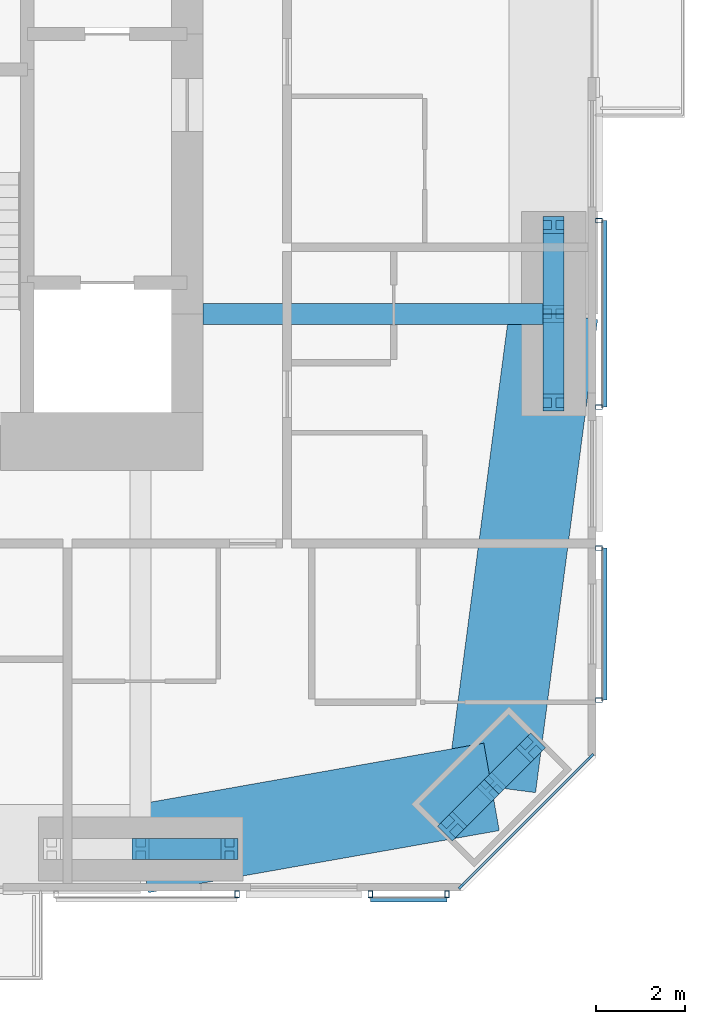
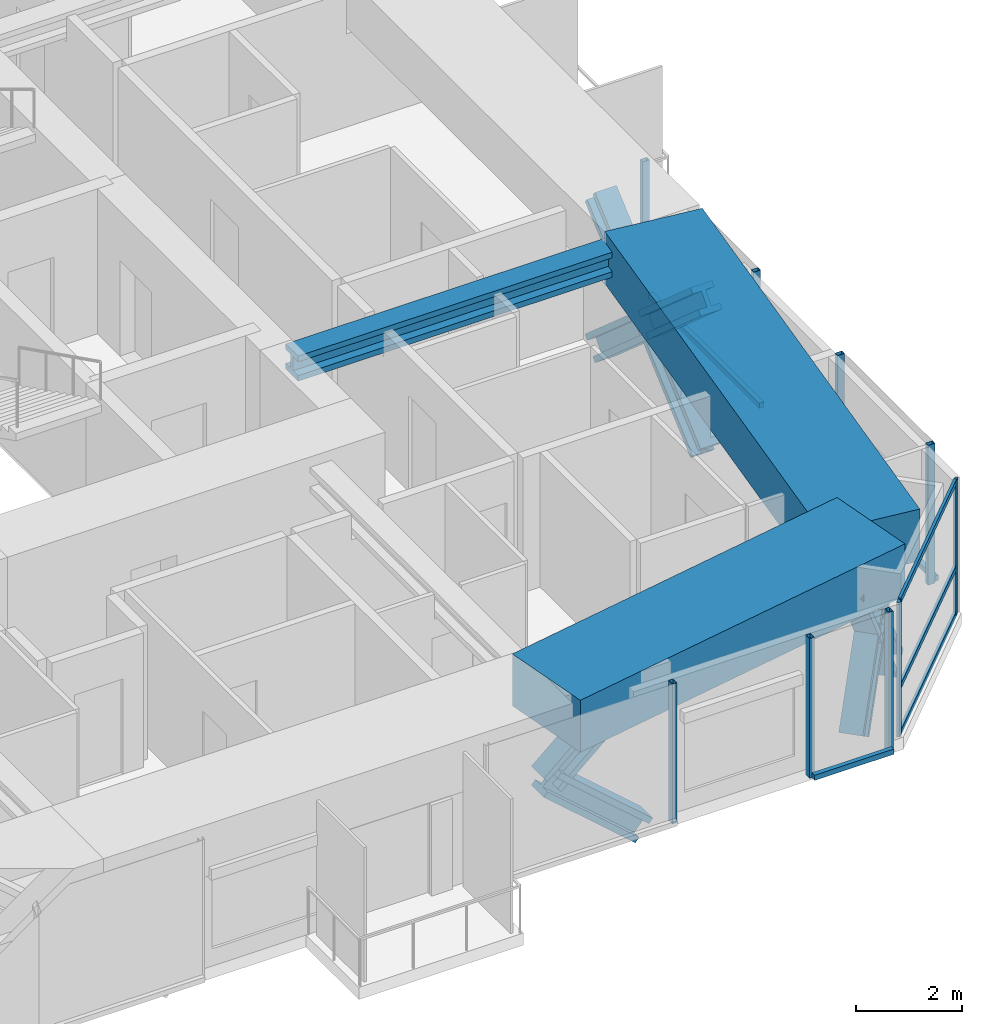
# One storey, part 7 of 22: 25 members, 3 beams, 5 elements without a shape of their own.
"""IFC4 building model written with IfcOpenShell, lengths in metres."""

from ifc_helpers import new_model, si_unit, direction, frame, origin, origin_2d, place, context, subcontext, project, spatial, rectangle, hollow_rectangle, i_section, extrude, material, material_profile, profile_set, type_object, element, aggregate, save


model = new_model("IFC4")

# Units and contexts
model_context = context("Model", 3, precision=1e-05, world=origin(), true_north=direction((0.0, 1.0)))
body_context = subcontext(model_context, "Body", "Model", "MODEL_VIEW")
ifc_project = project(units=[si_unit("LENGTHUNIT", "METRE"), si_unit("AREAUNIT", "SQUARE_METRE"), si_unit("VOLUMEUNIT", "CUBIC_METRE"), si_unit("PLANEANGLEUNIT", "RADIAN"), si_unit("MASSUNIT", "GRAM", prefix="KILO")], contexts=[model_context])

# Site, building, storey
site_placement = place(None, origin())
site = spatial("IfcSite", under=ifc_project, at=site_placement, CompositionType="ELEMENT")
building_placement = place(site_placement, origin())
building = spatial("IfcBuilding", under=site, at=building_placement, Name="Jalousie Tower", CompositionType="ELEMENT")
storey_placement = place(building_placement, frame((0.0, 0.0, 154.35009765625)))
storey = spatial("IfcBuildingStorey", under=building, at=storey_placement, Name="L41", CompositionType="ELEMENT", Elevation=154.35009765625)

# Curtain wall, members
ifc_material_1 = material(Name="Aluminium curtain wall", Category="aluminium")
curtain_wall_type_1 = type_object("IfcCurtainWallType", Name="CORNER WINDOW WALL", PredefinedType="USERDEFINED", material=ifc_material_1)
curtain_wall_1_placement = place(storey_placement, origin())
curtain_wall_1 = element("IfcCurtainWall", 1, at=curtain_wall_1_placement, inside=storey, type_object=curtain_wall_type_1, Name="Corner Window Wall L41 2", ObjectType="CORNER WINDOW WALL", PredefinedType="USERDEFINED")
ifc_material_2 = material(Name="Aluminium mullion", Category="aluminium")
ifc_material_profile_1 = material_profile(ifc_material_2, rectangle(XDim=0.06005859375, YDim=0.14990234375, at=origin_2d()), Name="MULLION 60x150")
ifc_profile_set_1 = profile_set([ifc_material_profile_1], Name="Aluminium mullion")
member_type_1 = type_object("IfcMemberType", Name="CORNER WINDOW WALL MULLION", PredefinedType="MULLION", material=ifc_profile_set_1)
member_1_placement = place(storey_placement, frame((49.969970703125, 0.108642578125, 0.0), z_axis=(0.0, 0.0, 1.0), x_axis=(-0.707106781187, 0.707106781187, 0.0)))
member_1 = element("IfcMember", 2, at=member_1_placement, type_object=member_type_1, Name="CW-C mullion 1", PredefinedType="MULLION", context=body_context, shape_type="SweptSolid", body=[
    extrude(rectangle(XDim=0.06005859375, YDim=0.14990234375, at=origin_2d()), origin(), (0.0, 0.0, 1.0), 3.10986328125),
])
member_2_placement = place(storey_placement, frame((52.891357421875, 3.030029296875, 0.0), z_axis=(0.0, 0.0, 1.0), x_axis=(-0.707106781187, 0.707106781187, 0.0)))
member_2 = element("IfcMember", 3, at=member_2_placement, type_object=member_type_1, Name="CW-C mullion 2", PredefinedType="MULLION", context=body_context, shape_type="SweptSolid", body=[
    extrude(rectangle(XDim=0.06005859375, YDim=0.14990234375, at=origin_2d()), origin(), (0.0, 0.0, 1.0), 3.10986328125),
])
ifc_material_3 = material(Name="Aluminium transom", Category="aluminium")
ifc_material_profile_2 = material_profile(ifc_material_3, rectangle(XDim=0.06005859375, YDim=0.1201171875, at=origin_2d()), Name="TRANSOM 60x120")
ifc_profile_set_2 = profile_set([ifc_material_profile_2], Name="Aluminium transom")
member_type_2 = type_object("IfcMemberType", Name="CORNER WINDOW WALL TRANSOM", PredefinedType="USERDEFINED", material=ifc_profile_set_2)
member_3_placement = place(storey_placement, frame((49.9912109375, 0.1298828125, 0.02978515625), z_axis=(0.707106781187, 0.707106781187, 0.0), x_axis=(-0.707106781187, 0.707106781187, 0.0)))
member_3 = element("IfcMember", 4, at=member_3_placement, type_object=member_type_2, Name="CW-C transom 1.1", ObjectType="TRANSOM", PredefinedType="USERDEFINED", context=body_context, shape_type="SweptSolid", body=[
    extrude(rectangle(XDim=0.06005859375, YDim=0.1201171875, at=origin_2d()), origin(), (0.0, 0.0, 1.0), 4.0712890625),
])
member_4_placement = place(storey_placement, frame((49.9912109375, 0.1298828125, 1.099853515625), z_axis=(0.707106781187, 0.707106781187, 0.0), x_axis=(-0.707106781187, 0.707106781187, 0.0)))
member_4 = element("IfcMember", 5, at=member_4_placement, type_object=member_type_2, Name="CW-C transom 1.2", ObjectType="TRANSOM", PredefinedType="USERDEFINED", context=body_context, shape_type="SweptSolid", body=[
    extrude(rectangle(XDim=0.06005859375, YDim=0.1201171875, at=origin_2d()), origin(), (0.0, 0.0, 1.0), 4.0712890625),
])
member_5_placement = place(storey_placement, frame((49.9912109375, 0.1298828125, 3.079833984375), z_axis=(0.707106781187, 0.707106781187, 0.0), x_axis=(-0.707106781187, 0.707106781187, 0.0)))
member_5 = element("IfcMember", 6, at=member_5_placement, type_object=member_type_2, Name="CW-C transom 1.3", ObjectType="TRANSOM", PredefinedType="USERDEFINED", context=body_context, shape_type="SweptSolid", body=[
    extrude(rectangle(XDim=0.06005859375, YDim=0.1201171875, at=origin_2d()), origin(), (0.0, 0.0, 1.0), 4.0712890625),
])
aggregate(curtain_wall_1, [member_1, member_2, member_3, member_4, member_5])

# Beam
ifc_material_4 = material(Name="Steel ASTM A992 Grade 50", Category="steel")
ifc_material_profile_3 = material_profile(ifc_material_4, i_section(OverallWidth=0.472412109375, OverallDepth=0.5791015625, WebThickness=0.094970703125, FlangeThickness=0.1298828125, at=origin_2d()), Name="W14X808")
ifc_profile_set_3 = profile_set([ifc_material_profile_3], Name="Steel ASTM A992 Grade 50")
beam_type_1 = type_object("IfcBeamType", Name="LEAN COLLECTOR W14X808", PredefinedType="BEAM", material=ifc_profile_set_3)
beam_1_placement = place(storey_placement, frame((52.050048828125, 13.0, 2.8203125), z_axis=(-1.0, 0.0, 0.0), x_axis=(0.0, -1.0, 0.0)))
element("IfcBeam", 7, at=beam_1_placement, inside=storey, type_object=beam_type_1, Name="Lean collector under L42", PredefinedType="BEAM", context=body_context, shape_type="SweptSolid", body=[
    extrude(i_section(OverallWidth=0.472412109375, OverallDepth=0.5791015625, WebThickness=0.094970703125, FlangeThickness=0.1298828125, at=origin_2d()), origin(), (0.0, 0.0, 1.0), 7.900146484375),
])

# Members
ifc_material_5 = material(Name="Steel ASTM A992 Grade 50", Category="steel")
ifc_material_profile_4 = material_profile(ifc_material_5, i_section(OverallWidth=0.472412109375, OverallDepth=0.5791015625, WebThickness=0.094970703125, FlangeThickness=0.1298828125, at=origin_2d()), Name="W14X808")
ifc_profile_set_4 = profile_set([ifc_material_profile_4], Name="Steel ASTM A992 Grade 50")
member_type_3 = type_object("IfcMemberType", Name="PERIMETER BRACE W14X808", PredefinedType="BRACE", material=ifc_profile_set_4)
for number, where, z_axis, x_axis, name in (
    (8, (42.75, 0.949951171875, 1.0), (0.752576694707, 0.0, 0.658504607869), (0.0, 1.0, 0.0), "Perimeter brace 04 L41 part 2"),
    (9, (44.75, 0.949951171875, -0.75), (-0.752576694707, 0.0, 0.658504607869), (0.0, -1.0, 0.0), "Perimeter brace 04 L41 part 3"),
):
    element("IfcMember", number, at=place(storey_placement, frame(where, z_axis=z_axis, x_axis=x_axis)), inside=storey, type_object=member_type_3, Name=name, PredefinedType="BRACE", context=body_context, shape_type="SweptSolid", body=[
        extrude(i_section(OverallWidth=0.472412109375, OverallDepth=0.5791015625, WebThickness=0.094970703125, FlangeThickness=0.1298828125, at=origin_2d()), origin(), (0.0, 0.0, 1.0), 2.657470703125),
    ])
for number, where, z_axis, x_axis, name in (
    (10, (49.767578125, 1.464599609375, -0.75), (0.411062743107, 0.410949221222, 0.813724866774), (-0.70700912125, 0.707204427637, 0.0), "Perimeter brace 05 L41 part 1"),
    (11, (50.651611328125, 2.348388671875, 1.0), (0.410949221222, 0.411062743107, 0.813724866774), (-0.707204427637, 0.70700912125, 0.0), "Perimeter brace 05 L41 part 2"),
    (12, (51.535400390625, 3.232421875, -0.75), (-0.410949221222, -0.411062743107, 0.813724866774), (0.707204427637, -0.70700912125, 0.0), "Perimeter brace 05 L41 part 3"),
    (13, (50.651611328125, 2.348388671875, 1.0), (-0.411062743107, -0.410949221222, 0.813724866774), (0.70700912125, -0.707204427637, 0.0), "Perimeter brace 05 L41 part 4"),
):
    element("IfcMember", number, at=place(storey_placement, frame(where, z_axis=z_axis, x_axis=x_axis)), inside=storey, type_object=member_type_3, Name=name, PredefinedType="BRACE", context=body_context, shape_type="SweptSolid", body=[
        extrude(i_section(OverallWidth=0.472412109375, OverallDepth=0.5791015625, WebThickness=0.094970703125, FlangeThickness=0.1298828125, at=origin_2d()), origin(), (0.0, 0.0, 1.0), 2.150634765625),
    ])
for number, where, z_axis, x_axis, name in (
    (14, (52.050048828125, 11.0, -0.75), (0.0, 0.752576694707, 0.658504607869), (-1.0, 0.0, 0.0), "Perimeter brace 06 L41 part 1"),
    (15, (52.050048828125, 13.0, 1.0), (0.0, 0.752576694707, 0.658504607869), (-1.0, 0.0, 0.0), "Perimeter brace 06 L41 part 2"),
    (16, (52.050048828125, 15.0, -0.75), (0.0, -0.752576694707, 0.658504607869), (1.0, 0.0, 0.0), "Perimeter brace 06 L41 part 3"),
    (17, (52.050048828125, 13.0, 1.0), (0.0, -0.752576694707, 0.658504607869), (1.0, 0.0, 0.0), "Perimeter brace 06 L41 part 4"),
):
    element("IfcMember", number, at=place(storey_placement, frame(where, z_axis=z_axis, x_axis=x_axis)), inside=storey, type_object=member_type_3, Name=name, PredefinedType="BRACE", context=body_context, shape_type="SweptSolid", body=[
        extrude(i_section(OverallWidth=0.472412109375, OverallDepth=0.5791015625, WebThickness=0.094970703125, FlangeThickness=0.1298828125, at=origin_2d()), origin(), (0.0, 0.0, 1.0), 2.657470703125),
    ])

# Beams
ifc_material_6 = material(Name="Concrete f'c 40 MPa", Category="concrete")
ifc_material_profile_5 = material_profile(ifc_material_6, rectangle(XDim=2.0, YDim=1.199951171875, at=origin_2d()), Name="RC 2000x1200")
ifc_profile_set_5 = profile_set([ifc_material_profile_5], Name="Concrete f'c 40 MPa")
beam_type_2 = type_object("IfcBeamType", Name="RC BEAM 2000x1200", PredefinedType="BEAM", material=ifc_profile_set_5)
beam_2_placement = place(storey_placement, frame((42.75, 0.949951171875, 2.75), z_axis=(0.984697370688, 0.174273027632, 0.0), x_axis=(-0.174273027632, 0.984697370688, 0.0)))
element("IfcBeam", 18, at=beam_2_placement, inside=storey, type_object=beam_type_2, Name="Edge band beam 04-05 under L42", PredefinedType="BEAM", context=body_context, shape_type="SweptSolid", body=[
    extrude(rectangle(XDim=2.0, YDim=1.199951171875, at=origin_2d()), origin(), (0.0, 0.0, 1.0), 8.0244140625),
])
beam_3_placement = place(storey_placement, frame((50.651611328125, 2.348388671875, 2.75), z_axis=(0.130171745558, 0.991491460709, 0.0), x_axis=(-0.991491460709, 0.130171745558, 0.0)))
element("IfcBeam", 19, at=beam_3_placement, inside=storey, type_object=beam_type_2, Name="Edge band beam 05-06 under L42", PredefinedType="BEAM", context=body_context, shape_type="SweptSolid", body=[
    extrude(rectangle(XDim=2.0, YDim=1.199951171875, at=origin_2d()), origin(), (0.0, 0.0, 1.0), 10.742919921875),
])

# Curtain wall, member
ifc_material_7 = material(Name="Perforated aluminium sheet", Category="aluminium")
curtain_wall_type_2 = type_object("IfcCurtainWallType", Name="SOLAR SCREEN SS-1", PredefinedType="USERDEFINED", material=ifc_material_7)
curtain_wall_2_placement = place(storey_placement, origin())
curtain_wall_2 = element("IfcCurtainWall", 20, at=curtain_wall_2_placement, inside=storey, type_object=curtain_wall_type_2, Name="Solar screen L41", ObjectType="SOLAR SCREEN SS-1", PredefinedType="USERDEFINED")
ifc_material_8 = material(Name="Steel ASTM A500 Grade C", Category="steel")
ifc_material_profile_6 = material_profile(ifc_material_8, hollow_rectangle(XDim=0.1015625, YDim=0.15234375, WallThickness=0.00634765625, at=origin_2d()), Name="HSS6X4X1/4")
ifc_profile_set_6 = profile_set([ifc_material_profile_6], Name="Steel ASTM A500 Grade C")
member_type_4 = type_object("IfcMemberType", Name="SOLAR SCREEN SS-1 MULLION", PredefinedType="MULLION", material=ifc_profile_set_6)
member_6_placement = place(storey_placement, frame((44.921630859375, -0.0712890625, -0.1201171875), z_axis=(0.0, 0.0, 1.0), x_axis=(1.0, 0.0, 0.0)))
member_6 = element("IfcMember", 21, at=member_6_placement, type_object=member_type_4, Name="SS1 post 2", PredefinedType="MULLION", context=body_context, shape_type="SweptSolid", body=[
    extrude(hollow_rectangle(XDim=0.1015625, YDim=0.15234375, WallThickness=0.00634765625, at=origin_2d()), origin(), (0.0, 0.0, 1.0), 3.22998046875),
])
aggregate(curtain_wall_2, [member_6])

# Curtain wall, members
curtain_wall_3_placement = place(storey_placement, origin())
curtain_wall_3 = element("IfcCurtainWall", 22, at=curtain_wall_3_placement, inside=storey, type_object=curtain_wall_type_2, Name="Solar screen L41", ObjectType="SOLAR SCREEN SS-1", PredefinedType="USERDEFINED")
member_7_placement = place(storey_placement, frame((47.921630859375, -0.0712890625, -0.1201171875), z_axis=(0.0, 0.0, 1.0), x_axis=(1.0, 0.0, 0.0)))
member_7 = element("IfcMember", 23, at=member_7_placement, type_object=member_type_4, Name="SS1 post 1", PredefinedType="MULLION", context=body_context, shape_type="SweptSolid", body=[
    extrude(hollow_rectangle(XDim=0.1015625, YDim=0.15234375, WallThickness=0.00634765625, at=origin_2d()), origin(), (0.0, 0.0, 1.0), 3.22998046875),
])
member_8_placement = place(storey_placement, frame((49.648681640625, -0.0712890625, -0.1201171875), z_axis=(0.0, 0.0, 1.0), x_axis=(1.0, 0.0, 0.0)))
member_8 = element("IfcMember", 24, at=member_8_placement, type_object=member_type_4, Name="SS1 post 2", PredefinedType="MULLION", context=body_context, shape_type="SweptSolid", body=[
    extrude(hollow_rectangle(XDim=0.1015625, YDim=0.15234375, WallThickness=0.00634765625, at=origin_2d()), origin(), (0.0, 0.0, 1.0), 3.22998046875),
])

curtain_wall_4_placement = place(storey_placement, origin())
curtain_wall_4 = element("IfcCurtainWall", 25, at=curtain_wall_4_placement, inside=storey, type_object=curtain_wall_type_2, Name="Solar screen L41", ObjectType="SOLAR SCREEN SS-1", PredefinedType="USERDEFINED")
member_9_placement = place(storey_placement, frame((53.0712890625, 4.301513671875, -0.1201171875), z_axis=(0.0, 0.0, 1.0), x_axis=(0.0, 1.0, 0.0)))
member_9 = element("IfcMember", 26, at=member_9_placement, type_object=member_type_4, Name="SS1 post 1", PredefinedType="MULLION", context=body_context, shape_type="SweptSolid", body=[
    extrude(hollow_rectangle(XDim=0.1015625, YDim=0.15234375, WallThickness=0.00634765625, at=origin_2d()), origin(), (0.0, 0.0, 1.0), 3.22998046875),
])
member_10_placement = place(storey_placement, frame((53.0712890625, 7.72509765625, -0.1201171875), z_axis=(0.0, 0.0, 1.0), x_axis=(0.0, 1.0, 0.0)))
member_10 = element("IfcMember", 27, at=member_10_placement, type_object=member_type_4, Name="SS1 post 2", PredefinedType="MULLION", context=body_context, shape_type="SweptSolid", body=[
    extrude(hollow_rectangle(XDim=0.1015625, YDim=0.15234375, WallThickness=0.00634765625, at=origin_2d()), origin(), (0.0, 0.0, 1.0), 3.22998046875),
])

curtain_wall_5_placement = place(storey_placement, origin())
curtain_wall_5 = element("IfcCurtainWall", 28, at=curtain_wall_5_placement, inside=storey, type_object=curtain_wall_type_2, Name="Solar screen L41", ObjectType="SOLAR SCREEN SS-1", PredefinedType="USERDEFINED")
member_11_placement = place(storey_placement, frame((53.0712890625, 10.89990234375, -0.1201171875), z_axis=(0.0, 0.0, 1.0), x_axis=(0.0, 1.0, 0.0)))
member_11 = element("IfcMember", 29, at=member_11_placement, type_object=member_type_4, Name="SS1 post 1", PredefinedType="MULLION", context=body_context, shape_type="SweptSolid", body=[
    extrude(hollow_rectangle(XDim=0.1015625, YDim=0.15234375, WallThickness=0.00634765625, at=origin_2d()), origin(), (0.0, 0.0, 1.0), 3.22998046875),
])
member_12_placement = place(storey_placement, frame((53.0712890625, 15.10009765625, -0.1201171875), z_axis=(0.0, 0.0, 1.0), x_axis=(0.0, 1.0, 0.0)))
member_12 = element("IfcMember", 30, at=member_12_placement, type_object=member_type_4, Name="SS1 post 2", PredefinedType="MULLION", context=body_context, shape_type="SweptSolid", body=[
    extrude(hollow_rectangle(XDim=0.1015625, YDim=0.15234375, WallThickness=0.00634765625, at=origin_2d()), origin(), (0.0, 0.0, 1.0), 3.22998046875),
])

# Member
ifc_material_9 = material(Name="Extruded aluminium screen rail", Category="aluminium")
ifc_material_profile_7 = material_profile(ifc_material_9, rectangle(XDim=0.1015625, YDim=0.1201171875, at=origin_2d()), Name="RAIL 102x120")
ifc_profile_set_7 = profile_set([ifc_material_profile_7], Name="Extruded aluminium screen rail")
member_type_5 = type_object("IfcMemberType", Name="SOLAR SCREEN SS-1 TRANSOM", PredefinedType="USERDEFINED", material=ifc_profile_set_7)
member_13_placement = place(storey_placement, frame((47.921630859375, -0.1982421875, -0.06005859375), z_axis=(1.0, 0.0, 0.0), x_axis=(0.0, 1.0, 0.0)))
member_13 = element("IfcMember", 31, at=member_13_placement, type_object=member_type_5, Name="SS1 rail", ObjectType="TRANSOM", PredefinedType="USERDEFINED", context=body_context, shape_type="SweptSolid", body=[
    extrude(rectangle(XDim=0.1015625, YDim=0.1201171875, at=origin_2d()), origin(), (0.0, 0.0, 1.0), 1.72705078125),
])

aggregate(curtain_wall_3, [member_7, member_8, member_13])

member_14_placement = place(storey_placement, frame((53.1982421875, 4.301513671875, -0.06005859375), z_axis=(0.0, 1.0, 0.0), x_axis=(-1.0, 0.0, 0.0)))
member_14 = element("IfcMember", 32, at=member_14_placement, type_object=member_type_5, Name="SS1 rail", ObjectType="TRANSOM", PredefinedType="USERDEFINED", context=body_context, shape_type="SweptSolid", body=[
    extrude(rectangle(XDim=0.1015625, YDim=0.1201171875, at=origin_2d()), origin(), (0.0, 0.0, 1.0), 3.423583984375),
])

aggregate(curtain_wall_4, [member_9, member_10, member_14])

member_15_placement = place(storey_placement, frame((53.1982421875, 10.89990234375, -0.06005859375), z_axis=(0.0, 1.0, 0.0), x_axis=(-1.0, 0.0, 0.0)))
member_15 = element("IfcMember", 33, at=member_15_placement, type_object=member_type_5, Name="SS1 rail", ObjectType="TRANSOM", PredefinedType="USERDEFINED", context=body_context, shape_type="SweptSolid", body=[
    extrude(rectangle(XDim=0.1015625, YDim=0.1201171875, at=origin_2d()), origin(), (0.0, 0.0, 1.0), 4.2001953125),
])

aggregate(curtain_wall_5, [member_11, member_12, member_15])

save(model, "model.ifc")
